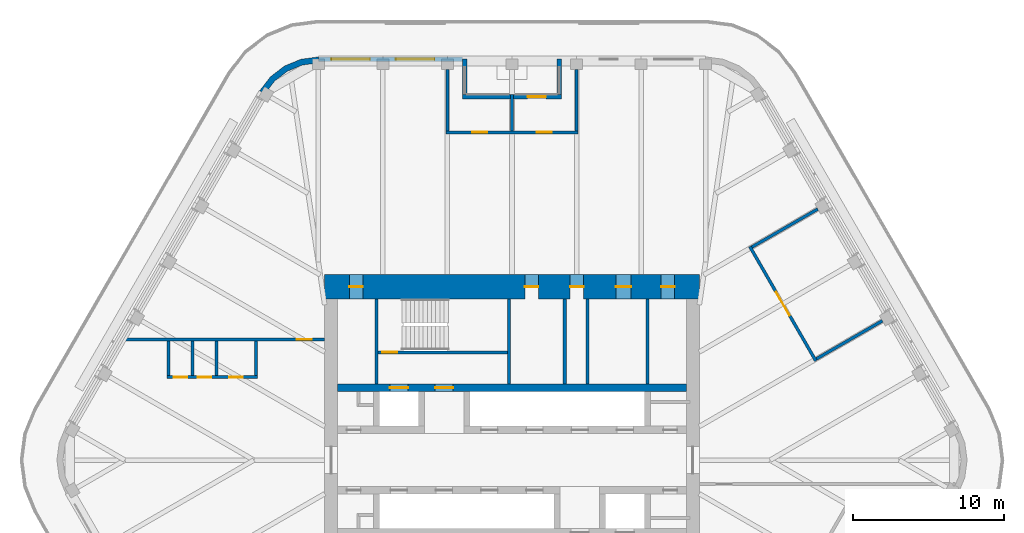
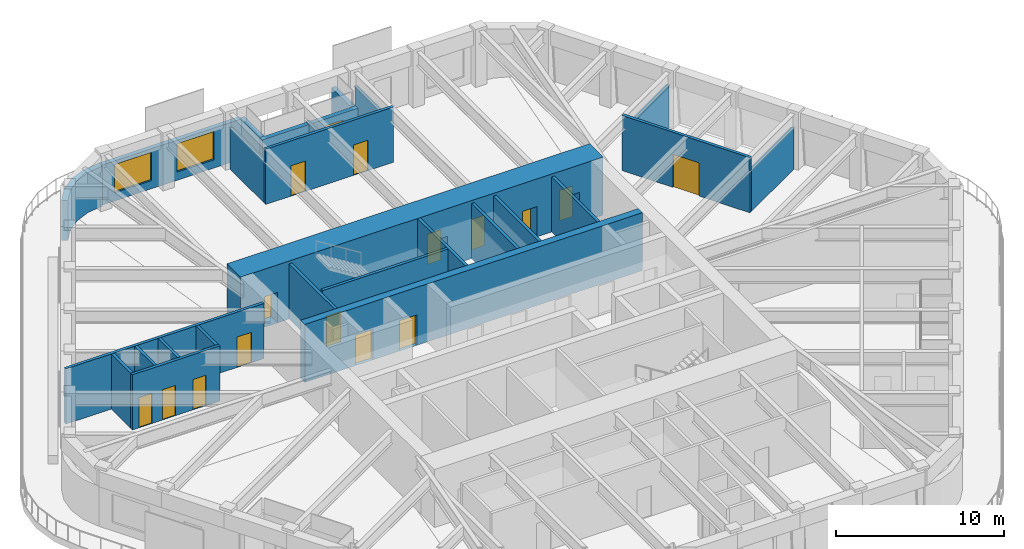
# One storey, part 16 of 20: 26 walls, 16 doors, 2 windows, 18 openings.
"""IFC4 building model written with IfcOpenShell, lengths in metres."""

from ifc_helpers import new_model, si_unit, direction, frame, frame_2d, origin, place, context, subcontext, project, spatial, polyline, rectangle, outline, extrude, material, layer, layer_set, type_object, element, fill, save


model = new_model("IFC4")

# Units and contexts
model_context = context("Model", 3, precision=1e-05, world=origin(), true_north=direction((0.0, 1.0)))
body_context = subcontext(model_context, "Body", "Model", "MODEL_VIEW")
ifc_project = project(units=[si_unit("LENGTHUNIT", "METRE"), si_unit("AREAUNIT", "SQUARE_METRE"), si_unit("VOLUMEUNIT", "CUBIC_METRE"), si_unit("PLANEANGLEUNIT", "RADIAN"), si_unit("MASSUNIT", "GRAM", prefix="KILO")], contexts=[model_context])

# Site, building, storey
site_placement = place(None, origin())
site = spatial("IfcSite", under=ifc_project, at=site_placement, CompositionType="ELEMENT")
building_placement = place(site_placement, origin())
building = spatial("IfcBuilding", under=site, at=building_placement, Name="Tarfa Lantern Tower", CompositionType="ELEMENT")
storey_placement = place(building_placement, frame((0.0, 0.0, 378.699951171875)))
storey = spatial("IfcBuildingStorey", under=building, at=storey_placement, Name="L86", CompositionType="ELEMENT", Elevation=378.699951171875)

# Wall, openings, windows
ifc_material_1 = material(Name="Limestone cladding on blockwork", Category="masonry")
ifc_layer_1 = layer(ifc_material_1, 0.300048828125)
ifc_layer_set_1 = layer_set([ifc_layer_1], Name="EW1 STONE-CLAD WALL 300")
wall_type_1 = type_object("IfcWallType", Name="EW1 STONE-CLAD WALL 300", PredefinedType="SOLIDWALL", material=ifc_layer_set_1)
wall_1_placement = place(storey_placement, frame((-3.281982421875, 26.60009765625, 0.0), z_axis=(0.0, 0.0, 1.0), x_axis=(-1.0, 0.0, 0.0)))
wall_1 = element("IfcWall", 1, at=wall_1_placement, inside=storey, type_object=wall_type_1, Name="Stone wall NB", PredefinedType="SOLIDWALL", context=body_context, shape_type="SweptSolid", body=[
    extrude(rectangle(XDim=9.56396484375, YDim=0.300048828125, at=frame_2d((4.781982421875, 0.0))), origin(), (0.0, 0.0, 1.0), 2.900146484375),
])
opening_1_placement = place(wall_1_placement, frame((1.865966796875, 0.0, 0.60009765625)))
opening_1 = element("IfcOpeningElement", 2, at=opening_1_placement, cuts=wall_1, Name="Opening W17", PredefinedType="OPENING", context=body_context, shape_type="SweptSolid", body=[
    extrude(rectangle(XDim=2.550048828125, YDim=2.050048828125, at=frame_2d((1.27490234375, 1.02490234375))), frame((0.0, 0.159912109375, 0.0), z_axis=(0.0, -1.0, 0.0), x_axis=(1.0, 0.0, 0.0)), (0.0, 0.0, 1.0), 0.320068359375),
])
opening_2_placement = place(wall_1_placement, frame((6.14794921875, 0.0, 0.60009765625)))
opening_2 = element("IfcOpeningElement", 3, at=opening_2_placement, cuts=wall_1, Name="Opening W17", PredefinedType="OPENING", context=body_context, shape_type="SweptSolid", body=[
    extrude(rectangle(XDim=2.550048828125, YDim=2.050048828125, at=frame_2d((1.27490234375, 1.02490234375))), frame((0.0, 0.159912109375, 0.0), z_axis=(0.0, -1.0, 0.0), x_axis=(1.0, 0.0, 0.0)), (0.0, 0.0, 1.0), 0.320068359375),
])
ifc_material_2 = material(Name="Aluminium frame, double glazed", Category="aluminium")
window_type = type_object("IfcWindowType", Name="W17 FULL-HEIGHT GLAZING 2550x2050", PartitioningType="SINGLE_PANEL", PredefinedType="WINDOW", material=ifc_material_2)
window_1_placement = place(opening_1_placement, origin())
window_1 = element("IfcWindow", 4, at=window_1_placement, inside=storey, type_object=window_type, Name="Window NB 1", OverallHeight=2.050048828125, OverallWidth=2.550048828125, PartitioningType="SINGLE_PANEL", PredefinedType="WINDOW", context=body_context, shape_type="SweptSolid", body=[
    extrude(rectangle(XDim=2.550048828125, YDim=2.050048828125, at=frame_2d((1.27490234375, 1.02490234375))), frame((0.0, 0.030029296875, 0.0), z_axis=(0.0, -1.0, 0.0), x_axis=(1.0, 0.0, 0.0)), (0.0, 0.0, 1.0), 0.06005859375),
])
fill(opening_1, window_1)
window_2_placement = place(opening_2_placement, origin())
window_2 = element("IfcWindow", 5, at=window_2_placement, inside=storey, type_object=window_type, Name="Window NB 2", OverallHeight=2.050048828125, OverallWidth=2.550048828125, PartitioningType="SINGLE_PANEL", PredefinedType="WINDOW", context=body_context, shape_type="SweptSolid", body=[
    extrude(rectangle(XDim=2.550048828125, YDim=2.050048828125, at=frame_2d((1.27490234375, 1.02490234375))), frame((0.0, 0.030029296875, 0.0), z_axis=(0.0, -1.0, 0.0), x_axis=(1.0, 0.0, 0.0)), (0.0, 0.0, 1.0), 0.06005859375),
])
fill(opening_2, window_2)

# Walls
for number, where, z_axis, x_axis, name in (
    (6, (3.132080078125, 26.60009765625, 0.0), (0.0, 0.0, 1.0), (0.0, -1.0, 0.0), "Terrace return N 1"),
    (7, (-3.132080078125, 26.60009765625, 0.0), (0.0, 0.0, 1.0), (0.0, -1.0, 0.0), "Terrace return N 2"),
):
    element("IfcWall", number, at=place(storey_placement, frame(where, z_axis=z_axis, x_axis=x_axis)), inside=storey, type_object=wall_type_1, Name=name, PredefinedType="SOLIDWALL", context=body_context, shape_type="SweptSolid", body=[
        extrude(rectangle(XDim=2.35009765625, YDim=0.300048828125, at=frame_2d((1.175048828125, 0.0))), origin(), (0.0, 0.0, 1.0), 2.900146484375),
    ])

# Wall, opening, door
wall_2_placement = place(storey_placement, frame((3.281982421875, 24.10009765625, 0.0), z_axis=(0.0, 0.0, 1.0), x_axis=(-1.0, 0.0, 0.0)))
wall_2 = element("IfcWall", 8, at=wall_2_placement, inside=storey, type_object=wall_type_1, Name="Stone wall NS", PredefinedType="SOLIDWALL", context=body_context, shape_type="SweptSolid", body=[
    extrude(rectangle(XDim=6.56396484375, YDim=0.300048828125, at=frame_2d((3.281982421875, 0.0))), origin(), (0.0, 0.0, 1.0), 2.900146484375),
])
opening_3_placement = place(wall_2_placement, frame((1.041015625, 0.0, 0.0)))
opening_3 = element("IfcOpeningElement", 9, at=opening_3_placement, cuts=wall_2, Name="Opening D40", PredefinedType="OPENING", context=body_context, shape_type="SweptSolid", body=[
    extrude(rectangle(XDim=1.199951171875, YDim=2.39990234375, at=frame_2d((0.60009765625, 1.199951171875))), frame((0.0, 0.159912109375, 0.0), z_axis=(0.0, -1.0, 0.0), x_axis=(1.0, 0.0, 0.0)), (0.0, 0.0, 1.0), 0.320068359375),
])
ifc_material_3 = material(Name="Aluminium framed glazed door", Category="aluminium")
door_type_1 = type_object("IfcDoorType", Name="BE3 BALCONY DOOR 1200x2400", OperationType="SINGLE_SWING_RIGHT", PredefinedType="DOOR", material=ifc_material_3)
door_1_placement = place(opening_3_placement, origin())
door_1 = element("IfcDoor", 10, at=door_1_placement, inside=storey, type_object=door_type_1, Name="Balcony door NS", OperationType="SINGLE_SWING_LEFT", OverallHeight=2.39990234375, OverallWidth=1.199951171875, PredefinedType="DOOR", context=body_context, shape_type="SweptSolid", body=[
    extrude(rectangle(XDim=1.199951171875, YDim=2.39990234375, at=frame_2d((0.60009765625, 1.199951171875))), frame((0.0, 0.02490234375, 0.0), z_axis=(0.0, -1.0, 0.0), x_axis=(1.0, 0.0, 0.0)), (0.0, 0.0, 1.0), 0.050048828125),
])
fill(opening_3, door_1)

# Walls
ifc_layer_2 = layer(ifc_material_1, 0.39990234375)
ifc_layer_set_2 = layer_set([ifc_layer_2], Name="EW2 CURVED STONE CORNER 400")
wall_type_2 = type_object("IfcWallType", Name="EW2 CURVED STONE CORNER 400", PredefinedType="SOLIDWALL", material=ifc_layer_set_2)
wall_3_placement = place(storey_placement, origin())
element("IfcWall", 11, at=wall_3_placement, inside=storey, type_object=wall_type_2, Name="Stone corner N-NW", PredefinedType="SOLIDWALL", context=body_context, shape_type="SweptSolid", body=[
    extrude(outline(polyline([(-12.845947265625, 26.75), (-14.0107421875, 26.5966796875), (-15.095947265625, 26.147216796875), (-16.028076171875, 25.431884765625), (-16.7431640625, 24.5), (-16.396728515625, 24.300048828125), (-15.7451171875, 25.149169921875), (-14.89599609375, 25.80078125), (-13.9072265625, 26.210205078125), (-12.845947265625, 26.35009765625), (-12.845947265625, 26.75)])), origin(), (0.0, 0.0, 1.0), 2.900146484375),
])
ifc_material_4 = material(Name="Concrete blockwork", Category="masonry")
ifc_layer_3 = layer(ifc_material_4, 0.199951171875)
ifc_layer_set_3 = layer_set([ifc_layer_3], Name="IW1 BLOCKWORK PARTITION 200 EI 120")
wall_type_3 = type_object("IfcWallType", Name="IW1 BLOCKWORK PARTITION 200 EI 120", PredefinedType="PARTITIONING", material=ifc_layer_set_3)
for number, where, z_axis, x_axis, name in (
    (12, (-9.0, 5.050048828125, 0.0), (0.0, 0.0, 1.0), (0.0, 1.0, 0.0), "Core partition"),
    (13, (9.0, 5.050048828125, 0.0), (0.0, 0.0, 1.0), (0.0, 1.0, 0.0), "Core partition"),
    (14, (3.5, 5.050048828125, 0.0), (0.0, 0.0, 1.0), (0.0, 1.0, 0.0), "Core partition"),
    (15, (5.0, 5.050048828125, 0.0), (0.0, 0.0, 1.0), (0.0, 1.0, 0.0), "Core partition"),
):
    element("IfcWall", number, at=place(storey_placement, frame(where, z_axis=z_axis, x_axis=x_axis)), inside=storey, type_object=wall_type_3, Name=name, PredefinedType="PARTITIONING", context=body_context, shape_type="SweptSolid", body=[
        extrude(rectangle(XDim=5.64990234375, YDim=0.199951171875, at=frame_2d((2.824951171875, 0.0))), origin(), (0.0, 0.0, 1.0), 4.0),
    ])

# Wall, openings, doors
ifc_material_5 = material(Name="Gypsum board on steel studs", Category="steel")
ifc_layer_4 = layer(ifc_material_5, 0.2099609375)
ifc_layer_set_4 = layer_set([ifc_layer_4], Name="IW2 ACOUSTIC PARTITION 200")
wall_type_4 = type_object("IfcWallType", Name="IW2 ACOUSTIC PARTITION 200", PredefinedType="PARTITIONING", material=ifc_layer_set_4)
wall_4_placement = place(storey_placement, frame((4.382080078125, 21.75, 0.0), z_axis=(0.0, 0.0, 1.0), x_axis=(-1.0, 0.0, 0.0)))
wall_4 = element("IfcWall", 16, at=wall_4_placement, inside=storey, type_object=wall_type_4, Name="Partition", PredefinedType="PARTITIONING", context=body_context, shape_type="SweptSolid", body=[
    extrude(rectangle(XDim=8.76416015625, YDim=0.199951171875, at=frame_2d((4.382080078125, 0.0))), origin(), (0.0, 0.0, 1.0), 4.0),
])
opening_4_placement = place(wall_4_placement, frame((1.740966796875, 0.0, 0.0)))
opening_4 = element("IfcOpeningElement", 17, at=opening_4_placement, cuts=wall_4, Name="Opening D21", PredefinedType="OPENING", context=body_context, shape_type="SweptSolid", body=[
    extrude(rectangle(XDim=1.0, YDim=2.199951171875, at=frame_2d((0.5, 1.10009765625))), frame((0.0, 0.10986328125, 0.0), z_axis=(0.0, -1.0, 0.0), x_axis=(1.0, 0.0, 0.0)), (0.0, 0.0, 1.0), 0.219970703125),
])
opening_5_placement = place(wall_4_placement, frame((6.02294921875, 0.0, 0.0)))
opening_5 = element("IfcOpeningElement", 18, at=opening_5_placement, cuts=wall_4, Name="Opening D22", PredefinedType="OPENING", context=body_context, shape_type="SweptSolid", body=[
    extrude(rectangle(XDim=1.0, YDim=2.199951171875, at=frame_2d((0.5, 1.10009765625))), frame((0.0, 0.10986328125, 0.0), z_axis=(0.0, -1.0, 0.0), x_axis=(1.0, 0.0, 0.0)), (0.0, 0.0, 1.0), 0.219970703125),
])
ifc_material_6 = material(Name="Timber door", Category="wood")
door_type_2 = type_object("IfcDoorType", Name="DR1 ROOM DOOR 1000x2200", OperationType="SINGLE_SWING_LEFT", PredefinedType="DOOR", material=ifc_material_6)
door_2_placement = place(opening_4_placement, frame((1.0, 0.0, 0.0), z_axis=(0.0, 0.0, 1.0), x_axis=(-1.0, 0.0, 0.0)))
door_2 = element("IfcDoor", 19, at=door_2_placement, inside=storey, type_object=door_type_2, Name="Library door", OperationType="SINGLE_SWING_LEFT", OverallHeight=2.199951171875, OverallWidth=1.0, PredefinedType="DOOR", context=body_context, shape_type="SweptSolid", body=[
    extrude(rectangle(XDim=1.0, YDim=2.199951171875, at=frame_2d((0.5, 1.10009765625))), frame((0.0, 0.02490234375, 0.0), z_axis=(0.0, -1.0, 0.0), x_axis=(1.0, 0.0, 0.0)), (0.0, 0.0, 1.0), 0.050048828125),
])
fill(opening_4, door_2)
door_3_placement = place(opening_5_placement, frame((1.0, 0.0, 0.0), z_axis=(0.0, 0.0, 1.0), x_axis=(-1.0, 0.0, 0.0)))
door_3 = element("IfcDoor", 20, at=door_3_placement, inside=storey, type_object=door_type_2, Name="Board secretariat office door", OperationType="SINGLE_SWING_RIGHT", OverallHeight=2.199951171875, OverallWidth=1.0, PredefinedType="DOOR", context=body_context, shape_type="SweptSolid", body=[
    extrude(rectangle(XDim=1.0, YDim=2.199951171875, at=frame_2d((0.5, 1.10009765625))), frame((0.0, 0.02490234375, 0.0), z_axis=(0.0, -1.0, 0.0), x_axis=(1.0, 0.0, 0.0)), (0.0, 0.0, 1.0), 0.050048828125),
])
fill(opening_5, door_3)

# Walls
wall_5_placement = place(storey_placement, frame((4.281982421875, 21.85009765625, 0.0), z_axis=(0.0, 0.0, 1.0), x_axis=(0.0, 1.0, 0.0)))
element("IfcWall", 21, at=wall_5_placement, inside=storey, type_object=wall_type_4, Name="Partition", PredefinedType="PARTITIONING", context=body_context, shape_type="SweptSolid", body=[
    extrude(rectangle(XDim=4.0498046875, YDim=0.199951171875, at=frame_2d((2.02490234375, 0.0))), origin(), (0.0, 0.0, 1.0), 2.991943359375),
])
wall_6_placement = place(storey_placement, frame((0.0, 21.85009765625, 0.0), z_axis=(0.0, 0.0, 1.0), x_axis=(0.0, 1.0, 0.0)))
element("IfcWall", 22, at=wall_6_placement, inside=storey, type_object=wall_type_4, Name="Partition", PredefinedType="PARTITIONING", context=body_context, shape_type="SweptSolid", body=[
    extrude(rectangle(XDim=2.40087890625, YDim=0.199951171875, at=frame_2d((1.200439453125, 0.0))), origin(), (0.0, 0.0, 1.0), 2.991943359375),
])
wall_7_placement = place(storey_placement, frame((-4.281982421875, 21.85009765625, 0.0), z_axis=(0.0, 0.0, 1.0), x_axis=(0.0, 1.0, 0.0)))
element("IfcWall", 23, at=wall_7_placement, inside=storey, type_object=wall_type_4, Name="Partition", PredefinedType="PARTITIONING", context=body_context, shape_type="SweptSolid", body=[
    extrude(rectangle(XDim=4.0498046875, YDim=0.199951171875, at=frame_2d((2.02490234375, 0.0))), origin(), (0.0, 0.0, 1.0), 2.991943359375),
])

# Wall, opening, door
wall_8_placement = place(storey_placement, frame((20.1611328125, 6.580078125, 0.0), z_axis=(0.0, 0.0, 1.0), x_axis=(-0.500006995557, 0.86602136486, 0.0)))
wall_8 = element("IfcWall", 24, at=wall_8_placement, inside=storey, type_object=wall_type_4, Name="Partition", PredefinedType="PARTITIONING", context=body_context, shape_type="SweptSolid", body=[
    extrude(rectangle(XDim=8.763916015625, YDim=0.199951171875, at=frame_2d((4.3818359375, 0.0))), origin(), (0.0, 0.0, 1.0), 4.0),
])
opening_6_placement = place(wall_8_placement, frame((3.48193359375, 0.0, 0.0)))
opening_6 = element("IfcOpeningElement", 25, at=opening_6_placement, cuts=wall_8, Name="Opening D23", PredefinedType="OPENING", context=body_context, shape_type="SweptSolid", body=[
    extrude(rectangle(XDim=1.800048828125, YDim=2.39990234375, at=frame_2d((0.89990234375, 1.199951171875))), frame((0.0, 0.10986328125, 0.0), z_axis=(0.0, -1.0, 0.0), x_axis=(1.0, 0.0, 0.0)), (0.0, 0.0, 1.0), 0.219970703125),
])
door_type_3 = type_object("IfcDoorType", Name="DR2 ROOM DOOR 1800x2400", OperationType="DOUBLE_DOOR_SINGLE_SWING", PredefinedType="DOOR", material=ifc_material_6)
door_4_placement = place(opening_6_placement, frame((1.800048828125, 0.0, 0.0), z_axis=(0.0, 0.0, 1.0), x_axis=(-1.0, 0.0, 0.0)))
door_4 = element("IfcDoor", 26, at=door_4_placement, inside=storey, type_object=door_type_3, Name="Majlis door", OperationType="DOUBLE_DOOR_SINGLE_SWING", OverallHeight=2.39990234375, OverallWidth=1.800048828125, PredefinedType="DOOR", context=body_context, shape_type="SweptSolid", body=[
    extrude(rectangle(XDim=1.800048828125, YDim=2.39990234375, at=frame_2d((0.89990234375, 1.199951171875))), frame((0.0, 0.02490234375, 0.0), z_axis=(0.0, -1.0, 0.0), x_axis=(1.0, 0.0, 0.0)), (0.0, 0.0, 1.0), 0.050048828125),
])
fill(opening_6, door_4)

# Walls
wall_9_placement = place(storey_placement, frame((20.19775390625, 6.716552734375, 0.0), z_axis=(0.0, 0.0, 1.0), x_axis=(0.866006046928, 0.500033525561, 0.0)))
element("IfcWall", 27, at=wall_9_placement, inside=storey, type_object=wall_type_4, Name="Partition", PredefinedType="PARTITIONING", context=body_context, shape_type="SweptSolid", body=[
    extrude(rectangle(XDim=5.050048828125, YDim=0.199951171875, at=frame_2d((2.52490234375, 0.0))), origin(), (0.0, 0.0, 1.0), 2.991943359375),
])
wall_10_placement = place(storey_placement, frame((15.91552734375, 14.13330078125, 0.0), z_axis=(0.0, 0.0, 1.0), x_axis=(0.866018134068, 0.500012591307, 0.0)))
element("IfcWall", 28, at=wall_10_placement, inside=storey, type_object=wall_type_4, Name="Partition", PredefinedType="PARTITIONING", context=body_context, shape_type="SweptSolid", body=[
    extrude(rectangle(XDim=5.050048828125, YDim=0.199951171875, at=frame_2d((2.52490234375, 0.0))), origin(), (0.0, 0.0, 1.0), 3.08154296875),
])

# Wall, opening, door
wall_11_placement = place(storey_placement, frame((-12.425048828125, 8.0, 0.0), z_axis=(0.0, 0.0, 1.0), x_axis=(-1.0, 0.0, 0.0)))
wall_11 = element("IfcWall", 29, at=wall_11_placement, inside=storey, type_object=wall_type_4, Name="Partition", PredefinedType="PARTITIONING", context=body_context, shape_type="SweptSolid", body=[
    extrude(rectangle(XDim=13.59033203125, YDim=0.199951171875, at=frame_2d((6.795166015625, 0.0))), origin(), (0.0, 0.0, 1.0), 4.0),
])
opening_7_placement = place(wall_11_placement, frame((0.859130859375, 0.0, 0.0)))
opening_7 = element("IfcOpeningElement", 30, at=opening_7_placement, cuts=wall_11, Name="Opening D38", PredefinedType="OPENING", context=body_context, shape_type="SweptSolid", body=[
    extrude(rectangle(XDim=1.0, YDim=2.199951171875, at=frame_2d((0.5, 1.10009765625))), frame((0.0, 0.10986328125, 0.0), z_axis=(0.0, -1.0, 0.0), x_axis=(1.0, 0.0, 0.0)), (0.0, 0.0, 1.0), 0.219970703125),
])
door_5_placement = place(opening_7_placement, origin())
door_5 = element("IfcDoor", 31, at=door_5_placement, inside=storey, type_object=door_type_2, Name="Zone door", OperationType="SINGLE_SWING_RIGHT", OverallHeight=2.199951171875, OverallWidth=1.0, PredefinedType="DOOR", context=body_context, shape_type="SweptSolid", body=[
    extrude(rectangle(XDim=1.0, YDim=2.199951171875, at=frame_2d((0.5, 1.10009765625))), frame((0.0, 0.02490234375, 0.0), z_axis=(0.0, -1.0, 0.0), x_axis=(1.0, 0.0, 0.0)), (0.0, 0.0, 1.0), 0.050048828125),
])
fill(opening_7, door_5)

# Wall, openings, doors
wall_12_placement = place(storey_placement, frame((-16.899658203125, 5.5, 0.0), z_axis=(0.0, 0.0, 1.0), x_axis=(-1.0, 0.0, 0.0)))
wall_12 = element("IfcWall", 32, at=wall_12_placement, inside=storey, type_object=wall_type_4, Name="Partition", PredefinedType="PARTITIONING", context=body_context, shape_type="SweptSolid", body=[
    extrude(rectangle(XDim=6.0, YDim=0.199951171875, at=frame_2d((3.0, 0.0))), origin(), (0.0, 0.0, 1.0), 4.0),
])
opening_8_placement = place(wall_12_placement, frame((0.949951171875, 0.0, 0.0)))
opening_8 = element("IfcOpeningElement", 33, at=opening_8_placement, cuts=wall_12, Name="Opening D31", PredefinedType="OPENING", context=body_context, shape_type="SweptSolid", body=[
    extrude(rectangle(XDim=0.89990234375, YDim=2.199951171875, at=frame_2d((0.449951171875, 1.10009765625))), frame((0.0, 0.10986328125, 0.0), z_axis=(0.0, -1.0, 0.0), x_axis=(1.0, 0.0, 0.0)), (0.0, 0.0, 1.0), 0.219970703125),
])
opening_9_placement = place(wall_12_placement, frame((3.050048828125, 0.0, 0.0)))
opening_9 = element("IfcOpeningElement", 34, at=opening_9_placement, cuts=wall_12, Name="Opening D32", PredefinedType="OPENING", context=body_context, shape_type="SweptSolid", body=[
    extrude(rectangle(XDim=0.89990234375, YDim=2.199951171875, at=frame_2d((0.449951171875, 1.10009765625))), frame((0.0, 0.10986328125, 0.0), z_axis=(0.0, -1.0, 0.0), x_axis=(1.0, 0.0, 0.0)), (0.0, 0.0, 1.0), 0.219970703125),
])
opening_10_placement = place(wall_12_placement, frame((4.64990234375, 0.0, 0.0)))
opening_10 = element("IfcOpeningElement", 35, at=opening_10_placement, cuts=wall_12, Name="Opening D33", PredefinedType="OPENING", context=body_context, shape_type="SweptSolid", body=[
    extrude(rectangle(XDim=0.89990234375, YDim=2.199951171875, at=frame_2d((0.449951171875, 1.10009765625))), frame((0.0, 0.10986328125, 0.0), z_axis=(0.0, -1.0, 0.0), x_axis=(1.0, 0.0, 0.0)), (0.0, 0.0, 1.0), 0.219970703125),
])
door_type_4 = type_object("IfcDoorType", Name="DR3 ROOM DOOR 900x2200", OperationType="SINGLE_SWING_LEFT", PredefinedType="DOOR", material=ifc_material_6)
door_6_placement = place(opening_8_placement, frame((0.89990234375, 0.0, 0.0), z_axis=(0.0, 0.0, 1.0), x_axis=(-1.0, 0.0, 0.0)))
door_6 = element("IfcDoor", 36, at=door_6_placement, inside=storey, type_object=door_type_4, Name="Print and copy room door", OperationType="SINGLE_SWING_LEFT", OverallHeight=2.199951171875, OverallWidth=0.89990234375, PredefinedType="DOOR", context=body_context, shape_type="SweptSolid", body=[
    extrude(rectangle(XDim=0.89990234375, YDim=2.199951171875, at=frame_2d((0.449951171875, 1.10009765625))), frame((0.0, 0.02490234375, 0.0), z_axis=(0.0, -1.0, 0.0), x_axis=(1.0, 0.0, 0.0)), (0.0, 0.0, 1.0), 0.050048828125),
])
fill(opening_8, door_6)
door_7_placement = place(opening_9_placement, frame((0.89990234375, 0.0, 0.0), z_axis=(0.0, 0.0, 1.0), x_axis=(-1.0, 0.0, 0.0)))
door_7 = element("IfcDoor", 37, at=door_7_placement, inside=storey, type_object=door_type_4, Name="Phone booth door", OperationType="SINGLE_SWING_RIGHT", OverallHeight=2.199951171875, OverallWidth=0.89990234375, PredefinedType="DOOR", context=body_context, shape_type="SweptSolid", body=[
    extrude(rectangle(XDim=0.89990234375, YDim=2.199951171875, at=frame_2d((0.449951171875, 1.10009765625))), frame((0.0, 0.02490234375, 0.0), z_axis=(0.0, -1.0, 0.0), x_axis=(1.0, 0.0, 0.0)), (0.0, 0.0, 1.0), 0.050048828125),
])
fill(opening_9, door_7)
door_8_placement = place(opening_10_placement, frame((0.89990234375, 0.0, 0.0), z_axis=(0.0, 0.0, 1.0), x_axis=(-1.0, 0.0, 0.0)))
door_8 = element("IfcDoor", 38, at=door_8_placement, inside=storey, type_object=door_type_4, Name="Phone booth door", OperationType="SINGLE_SWING_RIGHT", OverallHeight=2.199951171875, OverallWidth=0.89990234375, PredefinedType="DOOR", context=body_context, shape_type="SweptSolid", body=[
    extrude(rectangle(XDim=0.89990234375, YDim=2.199951171875, at=frame_2d((0.449951171875, 1.10009765625))), frame((0.0, 0.02490234375, 0.0), z_axis=(0.0, -1.0, 0.0), x_axis=(1.0, 0.0, 0.0)), (0.0, 0.0, 1.0), 0.050048828125),
])
fill(opening_10, door_8)

# Walls
for number, where, z_axis, x_axis, name in (
    (39, (-16.999755859375, 7.89990234375, 0.0), (0.0, 0.0, 1.0), (0.0, -1.0, 0.0), "Partition"),
    (40, (-19.599609375, 7.89990234375, 0.0), (0.0, 0.0, 1.0), (0.0, -1.0, 0.0), "Partition"),
    (41, (-21.19970703125, 7.89990234375, 0.0), (0.0, 0.0, 1.0), (0.0, -1.0, 0.0), "Partition"),
    (42, (-22.799560546875, 7.89990234375, 0.0), (0.0, 0.0, 1.0), (0.0, -1.0, 0.0), "Partition"),
):
    element("IfcWall", number, at=place(storey_placement, frame(where, z_axis=z_axis, x_axis=x_axis)), inside=storey, type_object=wall_type_4, Name=name, PredefinedType="PARTITIONING", context=body_context, shape_type="SweptSolid", body=[
        extrude(rectangle(XDim=2.2998046875, YDim=0.199951171875, at=frame_2d((1.14990234375, 0.0))), origin(), (0.0, 0.0, 1.0), 4.0),
    ])
ifc_material_7 = material(Name="Concrete C80/95", Category="concrete")
ifc_layer_5 = layer(ifc_material_7, 0.199951171875)
ifc_layer_set_5 = layer_set([ifc_layer_5], Name="SW12 CORE WALL 200")
wall_type_5 = type_object("IfcWallType", Name="SW12 CORE WALL 200", PredefinedType="SHEAR", material=ifc_layer_set_5)
wall_13_placement = place(storey_placement, frame((-0.199951171875, 5.050048828125, 0.0), z_axis=(0.0, 0.0, 1.0), x_axis=(0.0, 1.0, 0.0)))
element("IfcWall", 43, at=wall_13_placement, inside=storey, type_object=wall_type_5, Name="Core wall stair shaft N", PredefinedType="SHEAR", context=body_context, shape_type="SweptSolid", body=[
    extrude(rectangle(XDim=5.64990234375, YDim=0.199951171875, at=frame_2d((2.824951171875, 0.0))), origin(), (0.0, 0.0, 1.0), 4.199951171875),
])

# Wall, opening, door
wall_14_placement = place(storey_placement, frame((-8.89990234375, 7.14990234375, 0.0), z_axis=(0.0, 0.0, 1.0), x_axis=(1.0, 0.0, 0.0)))
wall_14 = element("IfcWall", 44, at=wall_14_placement, inside=storey, type_object=wall_type_5, Name="Core wall stair partition N", PredefinedType="SHEAR", context=body_context, shape_type="SweptSolid", body=[
    extrude(rectangle(XDim=8.599853515625, YDim=0.199951171875, at=frame_2d((4.2998046875, 0.0))), origin(), (0.0, 0.0, 1.0), 4.199951171875),
])
opening_11_placement = place(wall_14_placement, frame((0.300048828125, 0.0, 0.0)))
opening_11 = element("IfcOpeningElement", 45, at=opening_11_placement, cuts=wall_14, Name="Opening D19", PredefinedType="OPENING", context=body_context, shape_type="SweptSolid", body=[
    extrude(rectangle(XDim=1.0, YDim=2.199951171875, at=frame_2d((0.5, 1.10009765625))), frame((0.0, 0.10986328125, 0.0), z_axis=(0.0, -1.0, 0.0), x_axis=(1.0, 0.0, 0.0)), (0.0, 0.0, 1.0), 0.219970703125),
])
ifc_material_8 = material(Name="Steel fire door", Category="steel")
door_type_5 = type_object("IfcDoorType", Name="DF2 STAIR DOOR 1000x2200", OperationType="SINGLE_SWING_LEFT", PredefinedType="DOOR", material=ifc_material_8)
door_9_placement = place(opening_11_placement, origin())
door_9 = element("IfcDoor", 46, at=door_9_placement, inside=storey, type_object=door_type_5, Name="Stair door", OperationType="SINGLE_SWING_RIGHT", OverallHeight=2.199951171875, OverallWidth=1.0, PredefinedType="DOOR", context=body_context, shape_type="SweptSolid", body=[
    extrude(rectangle(XDim=1.0, YDim=2.199951171875, at=frame_2d((0.5, 1.10009765625))), frame((0.0, 0.02490234375, 0.0), z_axis=(0.0, -1.0, 0.0), x_axis=(1.0, 0.0, 0.0)), (0.0, 0.0, 1.0), 0.050048828125),
])
fill(opening_11, door_9)

# Wall, openings, doors
ifc_layer_6 = layer(ifc_material_7, 0.5)
ifc_layer_set_6 = layer_set([ifc_layer_6], Name="SW5 CORE WALL 500")
wall_type_6 = type_object("IfcWallType", Name="SW5 CORE WALL 500", PredefinedType="SHEAR", material=ifc_layer_set_6)
wall_15_placement = place(storey_placement, frame((-11.574951171875, 4.800048828125, 0.0), z_axis=(0.0, 0.0, 1.0), x_axis=(1.0, 0.0, 0.0)))
wall_15 = element("IfcWall", 47, at=wall_15_placement, inside=storey, type_object=wall_type_6, Name="Core wall rear N", PredefinedType="SHEAR", context=body_context, shape_type="SweptSolid", body=[
    extrude(rectangle(XDim=23.14990234375, YDim=0.5, at=frame_2d((11.574951171875, 0.0))), origin(), (0.0, 0.0, 1.0), 4.199951171875),
])
opening_12_placement = place(wall_15_placement, frame((6.47509765625, 0.0, 0.0)))
opening_12 = element("IfcOpeningElement", 48, at=opening_12_placement, cuts=wall_15, Name="Opening D05", PredefinedType="OPENING", context=body_context, shape_type="SweptSolid", body=[
    extrude(rectangle(XDim=1.199951171875, YDim=2.199951171875, at=frame_2d((0.60009765625, 1.10009765625))), frame((0.0, 0.260009765625, 0.0), z_axis=(0.0, -1.0, 0.0), x_axis=(1.0, 0.0, 0.0)), (0.0, 0.0, 1.0), 0.52001953125),
])
opening_13_placement = place(wall_15_placement, frame((3.47509765625, 0.0, 0.0)))
opening_13 = element("IfcOpeningElement", 49, at=opening_13_placement, cuts=wall_15, Name="Opening LD01", PredefinedType="OPENING", context=body_context, shape_type="SweptSolid", body=[
    extrude(rectangle(XDim=1.199951171875, YDim=2.199951171875, at=frame_2d((0.60009765625, 1.10009765625))), frame((0.0, 0.260009765625, 0.0), z_axis=(0.0, -1.0, 0.0), x_axis=(1.0, 0.0, 0.0)), (0.0, 0.0, 1.0), 0.52001953125),
])
door_type_6 = type_object("IfcDoorType", Name="DF1 FIREFIGHTING LOBBY DOOR 1200x2200", OperationType="SINGLE_SWING_LEFT", PredefinedType="DOOR", material=ifc_material_8)
door_10_placement = place(opening_12_placement, origin())
door_10 = element("IfcDoor", 50, at=door_10_placement, inside=storey, type_object=door_type_6, Name="Firefighting lobby door", OperationType="SINGLE_SWING_LEFT", OverallHeight=2.199951171875, OverallWidth=1.199951171875, PredefinedType="DOOR", context=body_context, shape_type="SweptSolid", body=[
    extrude(rectangle(XDim=1.199951171875, YDim=2.199951171875, at=frame_2d((0.60009765625, 1.10009765625))), frame((0.0, 0.02490234375, 0.0), z_axis=(0.0, -1.0, 0.0), x_axis=(1.0, 0.0, 0.0)), (0.0, 0.0, 1.0), 0.050048828125),
])
fill(opening_12, door_10)
ifc_material_9 = material(Name="Stainless steel lift door", Category="steel")
door_type_7 = type_object("IfcDoorType", Name="LD1 LIFT LANDING DOOR 1200x2200", OperationType="SLIDING_TO_LEFT", PredefinedType="DOOR", material=ifc_material_9)
door_11_placement = place(opening_13_placement, origin())
door_11 = element("IfcDoor", 51, at=door_11_placement, inside=storey, type_object=door_type_7, Name="Landing door FL1", OperationType="SLIDING_TO_LEFT", OverallHeight=2.199951171875, OverallWidth=1.199951171875, PredefinedType="DOOR", context=body_context, shape_type="SweptSolid", body=[
    extrude(rectangle(XDim=1.199951171875, YDim=2.199951171875, at=frame_2d((0.60009765625, 1.10009765625))), frame((0.0, 0.02490234375, 0.0), z_axis=(0.0, -1.0, 0.0), x_axis=(1.0, 0.0, 0.0)), (0.0, 0.0, 1.0), 0.050048828125),
])
fill(opening_13, door_11)

ifc_layer_7 = layer(ifc_material_7, 1.60009765625)
ifc_layer_set_7 = layer_set([ifc_layer_7], Name="SW7 CORE WALL 1600")
wall_type_7 = type_object("IfcWallType", Name="SW7 CORE WALL 1600", PredefinedType="SHEAR", material=ifc_layer_set_7)
wall_16_placement = place(storey_placement, frame((-12.425048828125, 11.5, 0.0), z_axis=(0.0, 0.0, 1.0), x_axis=(1.0, 0.0, 0.0)))
wall_16 = element("IfcWall", 52, at=wall_16_placement, inside=storey, type_object=wall_type_7, Name="Core wall N", PredefinedType="SHEAR", context=body_context, shape_type="SweptSolid", body=[
    extrude(rectangle(XDim=24.85009765625, YDim=1.60009765625, at=frame_2d((12.425048828125, 0.0))), origin(), (0.0, 0.0, 1.0), 4.199951171875),
])
opening_14_placement = place(wall_16_placement, frame((13.27490234375, 0.0, 0.0)))
opening_14 = element("IfcOpeningElement", 53, at=opening_14_placement, cuts=wall_16, Name="Opening D13", PredefinedType="OPENING", context=body_context, shape_type="SweptSolid", body=[
    extrude(rectangle(XDim=0.89990234375, YDim=2.199951171875, at=frame_2d((0.449951171875, 1.10009765625))), frame((0.0, 0.81005859375, 0.0), z_axis=(0.0, -1.0, 0.0), x_axis=(1.0, 0.0, 0.0)), (0.0, 0.0, 1.0), 1.6201171875),
])
opening_15_placement = place(wall_16_placement, frame((16.27490234375, 0.0, 0.0)))
opening_15 = element("IfcOpeningElement", 54, at=opening_15_placement, cuts=wall_16, Name="Opening D15", PredefinedType="OPENING", context=body_context, shape_type="SweptSolid", body=[
    extrude(rectangle(XDim=0.89990234375, YDim=2.199951171875, at=frame_2d((0.449951171875, 1.10009765625))), frame((0.0, 0.81005859375, 0.0), z_axis=(0.0, -1.0, 0.0), x_axis=(1.0, 0.0, 0.0)), (0.0, 0.0, 1.0), 1.6201171875),
])
opening_16_placement = place(wall_16_placement, frame((19.324951171875, 0.0, 0.0)))
opening_16 = element("IfcOpeningElement", 55, at=opening_16_placement, cuts=wall_16, Name="Opening D17", PredefinedType="OPENING", context=body_context, shape_type="SweptSolid", body=[
    extrude(rectangle(XDim=1.0, YDim=2.199951171875, at=frame_2d((0.5, 1.10009765625))), frame((0.0, 0.81005859375, 0.0), z_axis=(0.0, -1.0, 0.0), x_axis=(1.0, 0.0, 0.0)), (0.0, 0.0, 1.0), 1.6201171875),
])
opening_17_placement = place(wall_16_placement, frame((1.637451171875, 0.0, 0.0)))
opening_17 = element("IfcOpeningElement", 56, at=opening_17_placement, cuts=wall_16, Name="Opening D03", PredefinedType="OPENING", context=body_context, shape_type="SweptSolid", body=[
    extrude(rectangle(XDim=0.89990234375, YDim=2.199951171875, at=frame_2d((0.449951171875, 1.10009765625))), frame((0.0, 0.81005859375, 0.0), z_axis=(0.0, -1.0, 0.0), x_axis=(1.0, 0.0, 0.0)), (0.0, 0.0, 1.0), 1.6201171875),
])
opening_18_placement = place(wall_16_placement, frame((22.3125, 0.0, 0.0)))
opening_18 = element("IfcOpeningElement", 57, at=opening_18_placement, cuts=wall_16, Name="Opening D01", PredefinedType="OPENING", context=body_context, shape_type="SweptSolid", body=[
    extrude(rectangle(XDim=0.89990234375, YDim=2.199951171875, at=frame_2d((0.449951171875, 1.10009765625))), frame((0.0, 0.81005859375, 0.0), z_axis=(0.0, -1.0, 0.0), x_axis=(1.0, 0.0, 0.0)), (0.0, 0.0, 1.0), 1.6201171875),
])
door_type_8 = type_object("IfcDoorType", Name="DF3 CORE ROOM DOOR 900x2200", OperationType="SINGLE_SWING_LEFT", PredefinedType="DOOR", material=ifc_material_8)
door_12_placement = place(opening_14_placement, frame((0.89990234375, 0.0, 0.0), z_axis=(0.0, 0.0, 1.0), x_axis=(-1.0, 0.0, 0.0)))
door_12 = element("IfcDoor", 58, at=door_12_placement, inside=storey, type_object=door_type_8, Name="Core door", OperationType="SINGLE_SWING_LEFT", OverallHeight=2.199951171875, OverallWidth=0.89990234375, PredefinedType="DOOR", context=body_context, shape_type="SweptSolid", body=[
    extrude(rectangle(XDim=0.89990234375, YDim=2.199951171875, at=frame_2d((0.449951171875, 1.10009765625))), frame((0.0, 0.02490234375, 0.0), z_axis=(0.0, -1.0, 0.0), x_axis=(1.0, 0.0, 0.0)), (0.0, 0.0, 1.0), 0.050048828125),
])
fill(opening_14, door_12)
door_13_placement = place(opening_15_placement, frame((0.89990234375, 0.0, 0.0), z_axis=(0.0, 0.0, 1.0), x_axis=(-1.0, 0.0, 0.0)))
door_13 = element("IfcDoor", 59, at=door_13_placement, inside=storey, type_object=door_type_8, Name="Core door", OperationType="SINGLE_SWING_RIGHT", OverallHeight=2.199951171875, OverallWidth=0.89990234375, PredefinedType="DOOR", context=body_context, shape_type="SweptSolid", body=[
    extrude(rectangle(XDim=0.89990234375, YDim=2.199951171875, at=frame_2d((0.449951171875, 1.10009765625))), frame((0.0, 0.02490234375, 0.0), z_axis=(0.0, -1.0, 0.0), x_axis=(1.0, 0.0, 0.0)), (0.0, 0.0, 1.0), 0.050048828125),
])
fill(opening_15, door_13)
door_type_9 = type_object("IfcDoorType", Name="DF4 CORE ROOM DOOR 1000x2200", OperationType="SINGLE_SWING_LEFT", PredefinedType="DOOR", material=ifc_material_8)
door_14_placement = place(opening_16_placement, frame((1.0, 0.0, 0.0), z_axis=(0.0, 0.0, 1.0), x_axis=(-1.0, 0.0, 0.0)))
door_14 = element("IfcDoor", 60, at=door_14_placement, inside=storey, type_object=door_type_9, Name="Core door", OperationType="SINGLE_SWING_RIGHT", OverallHeight=2.199951171875, OverallWidth=1.0, PredefinedType="DOOR", context=body_context, shape_type="SweptSolid", body=[
    extrude(rectangle(XDim=1.0, YDim=2.199951171875, at=frame_2d((0.5, 1.10009765625))), frame((0.0, 0.02490234375, 0.0), z_axis=(0.0, -1.0, 0.0), x_axis=(1.0, 0.0, 0.0)), (0.0, 0.0, 1.0), 0.050048828125),
])
fill(opening_16, door_14)
door_type_10 = type_object("IfcDoorType", Name="DF5 RISER DOOR 900x2200", OperationType="SINGLE_SWING_LEFT", PredefinedType="DOOR", material=ifc_material_8)
door_15_placement = place(opening_17_placement, frame((0.89990234375, 0.0, 0.0), z_axis=(0.0, 0.0, 1.0), x_axis=(-1.0, 0.0, 0.0)))
door_15 = element("IfcDoor", 61, at=door_15_placement, inside=storey, type_object=door_type_10, Name="Riser door", OperationType="SINGLE_SWING_LEFT", OverallHeight=2.199951171875, OverallWidth=0.89990234375, PredefinedType="DOOR", context=body_context, shape_type="SweptSolid", body=[
    extrude(rectangle(XDim=0.89990234375, YDim=2.199951171875, at=frame_2d((0.449951171875, 1.10009765625))), frame((0.0, 0.02490234375, 0.0), z_axis=(0.0, -1.0, 0.0), x_axis=(1.0, 0.0, 0.0)), (0.0, 0.0, 1.0), 0.050048828125),
])
fill(opening_17, door_15)
door_16_placement = place(opening_18_placement, frame((0.89990234375, 0.0, 0.0), z_axis=(0.0, 0.0, 1.0), x_axis=(-1.0, 0.0, 0.0)))
door_16 = element("IfcDoor", 62, at=door_16_placement, inside=storey, type_object=door_type_10, Name="Riser door", OperationType="SINGLE_SWING_RIGHT", OverallHeight=2.199951171875, OverallWidth=0.89990234375, PredefinedType="DOOR", context=body_context, shape_type="SweptSolid", body=[
    extrude(rectangle(XDim=0.89990234375, YDim=2.199951171875, at=frame_2d((0.449951171875, 1.10009765625))), frame((0.0, 0.02490234375, 0.0), z_axis=(0.0, -1.0, 0.0), x_axis=(1.0, 0.0, 0.0)), (0.0, 0.0, 1.0), 0.050048828125),
])
fill(opening_18, door_16)

save(model, "model.ifc")
